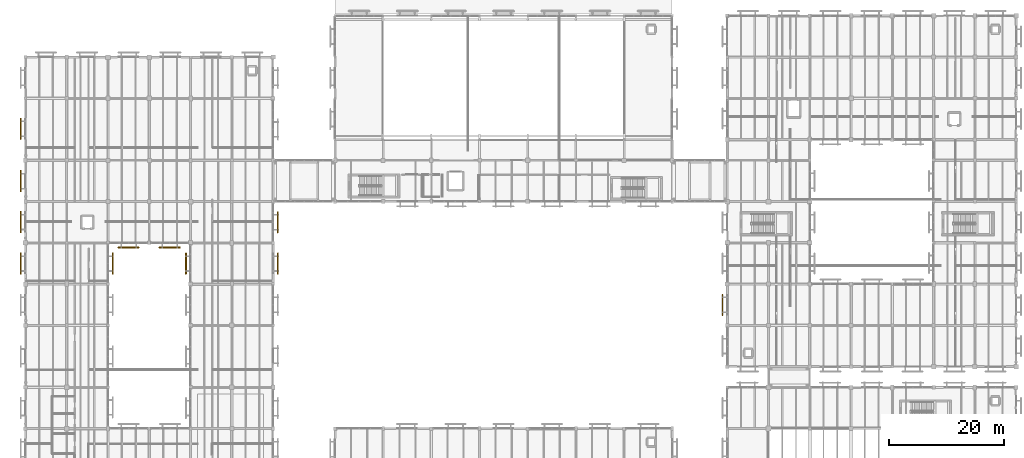
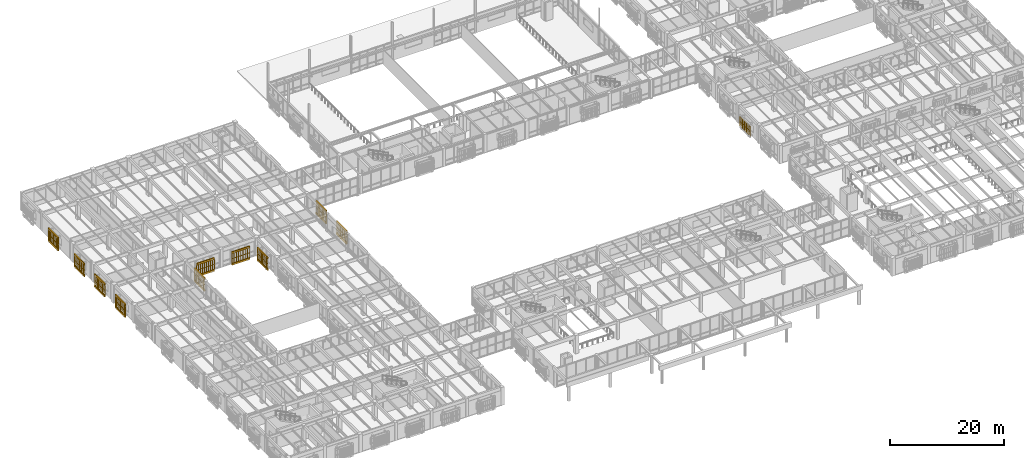
# One storey, part 156 of 170: 22 railings, 20 coverings.
"""IFC4 building model written with IfcOpenShell, lengths in metres."""

from ifc_helpers import new_model, si_unit, direction, frame, origin, origin_2d, place, context, subcontext, project, spatial, polyline, circle, outline, extrude, material, layer, layer_set, type_object, element, save


model = new_model("IFC4")

# Units and contexts
model_context = context("Model", 3, precision=1e-05, world=origin(), true_north=direction((0.0, 1.0)))
body_context = subcontext(model_context, "Body", "Model", "MODEL_VIEW")
ifc_project = project(units=[si_unit("LENGTHUNIT", "METRE"), si_unit("AREAUNIT", "SQUARE_METRE"), si_unit("VOLUMEUNIT", "CUBIC_METRE"), si_unit("PLANEANGLEUNIT", "RADIAN"), si_unit("MASSUNIT", "GRAM", prefix="KILO")], contexts=[model_context])

# Site, building, storey
site_placement = place(None, origin())
site = spatial("IfcSite", under=ifc_project, at=site_placement, CompositionType="ELEMENT")
building_placement = place(site_placement, origin())
building = spatial("IfcBuilding", under=site, at=building_placement, Name="Mazaris Harbour Polytechnic", CompositionType="ELEMENT")
storey_placement = place(building_placement, frame((0.0, 0.0, 5.39990234375)))
storey = spatial("IfcBuildingStorey", under=building, at=storey_placement, Name="L01", CompositionType="ELEMENT", Elevation=5.39990234375)

# Railings
ifc_material_1 = material(Name="Perforated Earth-Coloured Terracotta Block", Category="masonry")
railing_type = type_object("IfcRailingType", Name="Perforated Earth-Block Claustra Lattice 1040", PredefinedType="BALUSTRADE", material=ifc_material_1)
for number, where, name in (
    (1, (-0.820068359375, 62.987548828125, 0.52001953125), "V4 L01 Lower Perforated Terracotta Block Screen 174"),
    (2, (-0.820068359375, 62.987548828125, 1.610107421875), "V4 L01 Upper Perforated Terracotta Block Screen 174"),
):
    element("IfcRailing", number, at=place(storey_placement, frame(where)), inside=storey, type_object=railing_type, Name=name, PredefinedType="BALUSTRADE", context=body_context, shape_type="SweptSolid", body=[
        extrude(circle(Radius=0.06982421875, at=origin_2d()), frame((0.0, 0.0, 1.02001953125), z_axis=(0.0, 1.0, 0.0), x_axis=(-1.0, 0.0, 0.0)), (0.0, 0.0, 1.0), 3.599853515625),
        extrude(circle(Radius=0.074951171875, at=origin_2d()), origin(), (0.0, 0.0, 1.0), 0.9501953125),
        extrude(circle(Radius=0.074951171875, at=origin_2d()), frame((0.0, 0.449951171875, 0.0)), (0.0, 0.0, 1.0), 0.9501953125),
        extrude(circle(Radius=0.074951171875, at=origin_2d()), frame((0.0, 0.89990234375, 0.0)), (0.0, 0.0, 1.0), 0.9501953125),
        extrude(circle(Radius=0.074951171875, at=origin_2d()), frame((0.0, 1.349853515625, 0.0)), (0.0, 0.0, 1.0), 0.9501953125),
        extrude(circle(Radius=0.074951171875, at=origin_2d()), frame((0.0, 1.7998046875, 0.0)), (0.0, 0.0, 1.0), 0.9501953125),
        extrude(circle(Radius=0.074951171875, at=origin_2d()), frame((0.0, 2.25, 0.0)), (0.0, 0.0, 1.0), 0.9501953125),
        extrude(circle(Radius=0.074951171875, at=origin_2d()), frame((0.0, 2.699951171875, 0.0)), (0.0, 0.0, 1.0), 0.9501953125),
        extrude(circle(Radius=0.074951171875, at=origin_2d()), frame((0.0, 3.14990234375, 0.0)), (0.0, 0.0, 1.0), 0.9501953125),
        extrude(circle(Radius=0.074951171875, at=origin_2d()), frame((0.0, 3.599853515625, 0.0)), (0.0, 0.0, 1.0), 0.9501953125),
    ])
for number, where, name in (
    (3, (-0.820068359375, 70.22509765625, 0.52001953125), "V4 L01 Lower Perforated Terracotta Block Screen 175"),
    (4, (-0.820068359375, 70.22509765625, 1.60498046875), "V4 L01 Upper Perforated Terracotta Block Screen 175"),
):
    element("IfcRailing", number, at=place(storey_placement, frame(where)), inside=storey, type_object=railing_type, Name=name, PredefinedType="BALUSTRADE", context=body_context, shape_type="SweptSolid", body=[
        extrude(circle(Radius=0.06982421875, at=origin_2d()), frame((0.0, 0.0, 1.01513671875), z_axis=(0.0, 1.0, 0.0), x_axis=(-1.0, 0.0, 0.0)), (0.0, 0.0, 1.0), 3.599853515625),
        extrude(circle(Radius=0.074951171875, at=origin_2d()), origin(), (0.0, 0.0, 1.0), 0.945068359375),
        extrude(circle(Radius=0.074951171875, at=origin_2d()), frame((0.0, 0.449951171875, 0.0)), (0.0, 0.0, 1.0), 0.945068359375),
        extrude(circle(Radius=0.074951171875, at=origin_2d()), frame((0.0, 0.89990234375, 0.0)), (0.0, 0.0, 1.0), 0.945068359375),
        extrude(circle(Radius=0.074951171875, at=origin_2d()), frame((0.0, 1.349853515625, 0.0)), (0.0, 0.0, 1.0), 0.945068359375),
        extrude(circle(Radius=0.074951171875, at=origin_2d()), frame((0.0, 1.7998046875, 0.0)), (0.0, 0.0, 1.0), 0.945068359375),
        extrude(circle(Radius=0.074951171875, at=origin_2d()), frame((0.0, 2.25, 0.0)), (0.0, 0.0, 1.0), 0.945068359375),
        extrude(circle(Radius=0.074951171875, at=origin_2d()), frame((0.0, 2.699951171875, 0.0)), (0.0, 0.0, 1.0), 0.945068359375),
        extrude(circle(Radius=0.074951171875, at=origin_2d()), frame((0.0, 3.14990234375, 0.0)), (0.0, 0.0, 1.0), 0.945068359375),
        extrude(circle(Radius=0.074951171875, at=origin_2d()), frame((0.0, 3.599853515625, 0.0)), (0.0, 0.0, 1.0), 0.945068359375),
    ])
for number, where, name in (
    (5, (-0.820068359375, 77.362548828125, 0.52001953125), "V4 L01 Lower Perforated Terracotta Block Screen 176"),
    (6, (-0.820068359375, 77.362548828125, 1.610107421875), "V4 L01 Upper Perforated Terracotta Block Screen 176"),
):
    element("IfcRailing", number, at=place(storey_placement, frame(where)), inside=storey, type_object=railing_type, Name=name, PredefinedType="BALUSTRADE", context=body_context, shape_type="SweptSolid", body=[
        extrude(circle(Radius=0.06982421875, at=origin_2d()), frame((0.0, 0.0, 1.02001953125), z_axis=(0.0, 1.0, 0.0), x_axis=(-1.0, 0.0, 0.0)), (0.0, 0.0, 1.0), 3.599853515625),
        extrude(circle(Radius=0.074951171875, at=origin_2d()), origin(), (0.0, 0.0, 1.0), 0.9501953125),
        extrude(circle(Radius=0.074951171875, at=origin_2d()), frame((0.0, 0.449951171875, 0.0)), (0.0, 0.0, 1.0), 0.9501953125),
        extrude(circle(Radius=0.074951171875, at=origin_2d()), frame((0.0, 0.89990234375, 0.0)), (0.0, 0.0, 1.0), 0.9501953125),
        extrude(circle(Radius=0.074951171875, at=origin_2d()), frame((0.0, 1.349853515625, 0.0)), (0.0, 0.0, 1.0), 0.9501953125),
        extrude(circle(Radius=0.074951171875, at=origin_2d()), frame((0.0, 1.7998046875, 0.0)), (0.0, 0.0, 1.0), 0.9501953125),
        extrude(circle(Radius=0.074951171875, at=origin_2d()), frame((0.0, 2.25, 0.0)), (0.0, 0.0, 1.0), 0.9501953125),
        extrude(circle(Radius=0.074951171875, at=origin_2d()), frame((0.0, 2.699951171875, 0.0)), (0.0, 0.0, 1.0), 0.9501953125),
        extrude(circle(Radius=0.074951171875, at=origin_2d()), frame((0.0, 3.14990234375, 0.0)), (0.0, 0.0, 1.0), 0.9501953125),
        extrude(circle(Radius=0.074951171875, at=origin_2d()), frame((0.0, 3.599853515625, 0.0)), (0.0, 0.0, 1.0), 0.9501953125),
    ])
for number, where, name in (
    (7, (-0.820068359375, 86.5, 0.52001953125), "V4 L01 Lower Perforated Terracotta Block Screen 177"),
    (8, (-0.820068359375, 86.5, 1.610107421875), "V4 L01 Upper Perforated Terracotta Block Screen 177"),
):
    element("IfcRailing", number, at=place(storey_placement, frame(where)), inside=storey, type_object=railing_type, Name=name, PredefinedType="BALUSTRADE", context=body_context, shape_type="SweptSolid", body=[
        extrude(circle(Radius=0.06982421875, at=origin_2d()), frame((0.0, 0.0, 1.02001953125), z_axis=(0.0, 1.0, 0.0), x_axis=(-1.0, 0.0, 0.0)), (0.0, 0.0, 1.0), 3.60009765625),
        extrude(circle(Radius=0.074951171875, at=origin_2d()), origin(), (0.0, 0.0, 1.0), 0.9501953125),
        extrude(circle(Radius=0.074951171875, at=origin_2d()), frame((0.0, 0.39990234375, 0.0)), (0.0, 0.0, 1.0), 0.9501953125),
        extrude(circle(Radius=0.074951171875, at=origin_2d()), frame((0.0, 0.800048828125, 0.0)), (0.0, 0.0, 1.0), 0.9501953125),
        extrude(circle(Radius=0.074951171875, at=origin_2d()), frame((0.0, 1.199951171875, 0.0)), (0.0, 0.0, 1.0), 0.9501953125),
        extrude(circle(Radius=0.074951171875, at=origin_2d()), frame((0.0, 1.60009765625, 0.0)), (0.0, 0.0, 1.0), 0.9501953125),
        extrude(circle(Radius=0.074951171875, at=origin_2d()), frame((0.0, 2.0, 0.0)), (0.0, 0.0, 1.0), 0.9501953125),
        extrude(circle(Radius=0.074951171875, at=origin_2d()), frame((0.0, 2.400146484375, 0.0)), (0.0, 0.0, 1.0), 0.9501953125),
        extrude(circle(Radius=0.074951171875, at=origin_2d()), frame((0.0, 2.800048828125, 0.0)), (0.0, 0.0, 1.0), 0.9501953125),
        extrude(circle(Radius=0.074951171875, at=origin_2d()), frame((0.0, 3.2001953125, 0.0)), (0.0, 0.0, 1.0), 0.9501953125),
        extrude(circle(Radius=0.074951171875, at=origin_2d()), frame((0.0, 3.60009765625, 0.0)), (0.0, 0.0, 1.0), 0.9501953125),
    ])
for number, where, name in (
    (9, (44.02001953125, 66.58740234375, 0.52001953125), "V4 L01 Lower Perforated Terracotta Block Screen 185"),
    (10, (44.02001953125, 66.58740234375, 1.60498046875), "V4 L01 Upper Perforated Terracotta Block Screen 185"),
):
    element("IfcRailing", number, at=place(storey_placement, frame(where)), inside=storey, type_object=railing_type, Name=name, PredefinedType="BALUSTRADE", context=body_context, shape_type="SweptSolid", body=[
        extrude(circle(Radius=0.06982421875, at=origin_2d()), frame((0.0, 0.0, 1.01513671875), z_axis=(0.0, -1.0, 0.0), x_axis=(1.0, 0.0, 0.0)), (0.0, 0.0, 1.0), 3.599853515625),
        extrude(circle(Radius=0.074951171875, at=origin_2d()), origin(), (0.0, 0.0, 1.0), 0.945068359375),
        extrude(circle(Radius=0.074951171875, at=origin_2d()), frame((0.0, -0.449951171875, 0.0)), (0.0, 0.0, 1.0), 0.945068359375),
        extrude(circle(Radius=0.074951171875, at=origin_2d()), frame((0.0, -0.89990234375, 0.0)), (0.0, 0.0, 1.0), 0.945068359375),
        extrude(circle(Radius=0.074951171875, at=origin_2d()), frame((0.0, -1.349853515625, 0.0)), (0.0, 0.0, 1.0), 0.945068359375),
        extrude(circle(Radius=0.074951171875, at=origin_2d()), frame((0.0, -1.7998046875, 0.0)), (0.0, 0.0, 1.0), 0.945068359375),
        extrude(circle(Radius=0.074951171875, at=origin_2d()), frame((0.0, -2.25, 0.0)), (0.0, 0.0, 1.0), 0.945068359375),
        extrude(circle(Radius=0.074951171875, at=origin_2d()), frame((0.0, -2.699951171875, 0.0)), (0.0, 0.0, 1.0), 0.945068359375),
        extrude(circle(Radius=0.074951171875, at=origin_2d()), frame((0.0, -3.14990234375, 0.0)), (0.0, 0.0, 1.0), 0.945068359375),
        extrude(circle(Radius=0.074951171875, at=origin_2d()), frame((0.0, -3.599853515625, 0.0)), (0.0, 0.0, 1.0), 0.945068359375),
    ])
for number, where, name in (
    (11, (44.02001953125, 73.78759765625, 0.52001953125), "V4 L01 Lower Perforated Terracotta Block Screen 186"),
    (12, (44.02001953125, 73.78759765625, 1.60498046875), "V4 L01 Upper Perforated Terracotta Block Screen 186"),
):
    element("IfcRailing", number, at=place(storey_placement, frame(where)), inside=storey, type_object=railing_type, Name=name, PredefinedType="BALUSTRADE", context=body_context, shape_type="SweptSolid", body=[
        extrude(circle(Radius=0.06982421875, at=origin_2d()), frame((0.0, 0.0, 1.01513671875), z_axis=(0.0, -1.0, 0.0), x_axis=(1.0, 0.0, 0.0)), (0.0, 0.0, 1.0), 3.60009765625),
        extrude(circle(Radius=0.074951171875, at=origin_2d()), origin(), (0.0, 0.0, 1.0), 0.945068359375),
        extrude(circle(Radius=0.074951171875, at=origin_2d()), frame((0.0, -0.39990234375, 0.0)), (0.0, 0.0, 1.0), 0.945068359375),
        extrude(circle(Radius=0.074951171875, at=origin_2d()), frame((0.0, -0.800048828125, 0.0)), (0.0, 0.0, 1.0), 0.945068359375),
        extrude(circle(Radius=0.074951171875, at=origin_2d()), frame((0.0, -1.199951171875, 0.0)), (0.0, 0.0, 1.0), 0.945068359375),
        extrude(circle(Radius=0.074951171875, at=origin_2d()), frame((0.0, -1.60009765625, 0.0)), (0.0, 0.0, 1.0), 0.945068359375),
        extrude(circle(Radius=0.074951171875, at=origin_2d()), frame((0.0, -2.0, 0.0)), (0.0, 0.0, 1.0), 0.945068359375),
        extrude(circle(Radius=0.074951171875, at=origin_2d()), frame((0.0, -2.400146484375, 0.0)), (0.0, 0.0, 1.0), 0.945068359375),
        extrude(circle(Radius=0.074951171875, at=origin_2d()), frame((0.0, -2.800048828125, 0.0)), (0.0, 0.0, 1.0), 0.945068359375),
        extrude(circle(Radius=0.074951171875, at=origin_2d()), frame((0.0, -3.2001953125, 0.0)), (0.0, 0.0, 1.0), 0.945068359375),
        extrude(circle(Radius=0.074951171875, at=origin_2d()), frame((0.0, -3.60009765625, 0.0)), (0.0, 0.0, 1.0), 0.945068359375),
    ])
for number, where, name in (
    (13, (19.800048828125, 67.580078125, 0.52001953125), "V4 L01 Lower Perforated Terracotta Block Screen 191"),
    (14, (19.800048828125, 67.580078125, 1.610107421875), "V4 L01 Upper Perforated Terracotta Block Screen 191"),
):
    element("IfcRailing", number, at=place(storey_placement, frame(where)), inside=storey, type_object=railing_type, Name=name, PredefinedType="BALUSTRADE", context=body_context, shape_type="SweptSolid", body=[
        extrude(circle(Radius=0.06982421875, at=origin_2d()), frame((0.0, 0.0, 1.02001953125), z_axis=(-1.0, 0.0, 0.0), x_axis=(0.0, -1.0, 0.0)), (0.0, 0.0, 1.0), 3.60009765625),
        extrude(circle(Radius=0.074951171875, at=origin_2d()), origin(), (0.0, 0.0, 1.0), 0.9501953125),
        extrude(circle(Radius=0.074951171875, at=origin_2d()), frame((-0.39990234375, 0.0, 0.0)), (0.0, 0.0, 1.0), 0.9501953125),
        extrude(circle(Radius=0.074951171875, at=origin_2d()), frame((-0.800048828125, 0.0, 0.0)), (0.0, 0.0, 1.0), 0.9501953125),
        extrude(circle(Radius=0.074951171875, at=origin_2d()), frame((-1.199951171875, 0.0, 0.0)), (0.0, 0.0, 1.0), 0.9501953125),
        extrude(circle(Radius=0.074951171875, at=origin_2d()), frame((-1.60009765625, 0.0, 0.0)), (0.0, 0.0, 1.0), 0.9501953125),
        extrude(circle(Radius=0.074951171875, at=origin_2d()), frame((-2.0, 0.0, 0.0)), (0.0, 0.0, 1.0), 0.9501953125),
        extrude(circle(Radius=0.074951171875, at=origin_2d()), frame((-2.400146484375, 0.0, 0.0)), (0.0, 0.0, 1.0), 0.9501953125),
        extrude(circle(Radius=0.074951171875, at=origin_2d()), frame((-2.800048828125, 0.0, 0.0)), (0.0, 0.0, 1.0), 0.9501953125),
        extrude(circle(Radius=0.074951171875, at=origin_2d()), frame((-3.2001953125, 0.0, 0.0)), (0.0, 0.0, 1.0), 0.9501953125),
        extrude(circle(Radius=0.074951171875, at=origin_2d()), frame((-3.60009765625, 0.0, 0.0)), (0.0, 0.0, 1.0), 0.9501953125),
    ])
for number, where, name in (
    (15, (26.96240234375, 67.580078125, 0.52001953125), "V4 L01 Lower Perforated Terracotta Block Screen 192"),
    (16, (26.96240234375, 67.580078125, 1.610107421875), "V4 L01 Upper Perforated Terracotta Block Screen 192"),
):
    element("IfcRailing", number, at=place(storey_placement, frame(where)), inside=storey, type_object=railing_type, Name=name, PredefinedType="BALUSTRADE", context=body_context, shape_type="SweptSolid", body=[
        extrude(circle(Radius=0.06982421875, at=origin_2d()), frame((0.0, 0.0, 1.02001953125), z_axis=(-1.0, 0.0, 0.0), x_axis=(0.0, -1.0, 0.0)), (0.0, 0.0, 1.0), 3.599853515625),
        extrude(circle(Radius=0.074951171875, at=origin_2d()), origin(), (0.0, 0.0, 1.0), 0.9501953125),
        extrude(circle(Radius=0.074951171875, at=origin_2d()), frame((-0.449951171875, 0.0, 0.0)), (0.0, 0.0, 1.0), 0.9501953125),
        extrude(circle(Radius=0.074951171875, at=origin_2d()), frame((-0.89990234375, 0.0, 0.0)), (0.0, 0.0, 1.0), 0.9501953125),
        extrude(circle(Radius=0.074951171875, at=origin_2d()), frame((-1.349853515625, 0.0, 0.0)), (0.0, 0.0, 1.0), 0.9501953125),
        extrude(circle(Radius=0.074951171875, at=origin_2d()), frame((-1.7998046875, 0.0, 0.0)), (0.0, 0.0, 1.0), 0.9501953125),
        extrude(circle(Radius=0.074951171875, at=origin_2d()), frame((-2.25, 0.0, 0.0)), (0.0, 0.0, 1.0), 0.9501953125),
        extrude(circle(Radius=0.074951171875, at=origin_2d()), frame((-2.699951171875, 0.0, 0.0)), (0.0, 0.0, 1.0), 0.9501953125),
        extrude(circle(Radius=0.074951171875, at=origin_2d()), frame((-3.14990234375, 0.0, 0.0)), (0.0, 0.0, 1.0), 0.9501953125),
        extrude(circle(Radius=0.074951171875, at=origin_2d()), frame((-3.599853515625, 0.0, 0.0)), (0.0, 0.0, 1.0), 0.9501953125),
    ])
for number, where, name in (
    (17, (15.219970703125, 62.987548828125, 0.52001953125), "V4 L01 Lower Perforated Terracotta Block Screen 196"),
    (18, (15.219970703125, 62.987548828125, 1.610107421875), "V4 L01 Upper Perforated Terracotta Block Screen 196"),
):
    element("IfcRailing", number, at=place(storey_placement, frame(where)), inside=storey, type_object=railing_type, Name=name, PredefinedType="BALUSTRADE", context=body_context, shape_type="SweptSolid", body=[
        extrude(circle(Radius=0.06982421875, at=origin_2d()), frame((0.0, 0.0, 1.02001953125), z_axis=(0.0, 1.0, 0.0), x_axis=(-1.0, 0.0, 0.0)), (0.0, 0.0, 1.0), 3.599853515625),
        extrude(circle(Radius=0.074951171875, at=origin_2d()), origin(), (0.0, 0.0, 1.0), 0.9501953125),
        extrude(circle(Radius=0.074951171875, at=origin_2d()), frame((0.0, 0.449951171875, 0.0)), (0.0, 0.0, 1.0), 0.9501953125),
        extrude(circle(Radius=0.074951171875, at=origin_2d()), frame((0.0, 0.89990234375, 0.0)), (0.0, 0.0, 1.0), 0.9501953125),
        extrude(circle(Radius=0.074951171875, at=origin_2d()), frame((0.0, 1.349853515625, 0.0)), (0.0, 0.0, 1.0), 0.9501953125),
        extrude(circle(Radius=0.074951171875, at=origin_2d()), frame((0.0, 1.7998046875, 0.0)), (0.0, 0.0, 1.0), 0.9501953125),
        extrude(circle(Radius=0.074951171875, at=origin_2d()), frame((0.0, 2.25, 0.0)), (0.0, 0.0, 1.0), 0.9501953125),
        extrude(circle(Radius=0.074951171875, at=origin_2d()), frame((0.0, 2.699951171875, 0.0)), (0.0, 0.0, 1.0), 0.9501953125),
        extrude(circle(Radius=0.074951171875, at=origin_2d()), frame((0.0, 3.14990234375, 0.0)), (0.0, 0.0, 1.0), 0.9501953125),
        extrude(circle(Radius=0.074951171875, at=origin_2d()), frame((0.0, 3.599853515625, 0.0)), (0.0, 0.0, 1.0), 0.9501953125),
    ])
for number, where, name in (
    (19, (27.97998046875, 66.58740234375, 0.52001953125), "V4 L01 Lower Perforated Terracotta Block Screen 200"),
    (20, (27.97998046875, 66.58740234375, 1.610107421875), "V4 L01 Upper Perforated Terracotta Block Screen 200"),
):
    element("IfcRailing", number, at=place(storey_placement, frame(where)), inside=storey, type_object=railing_type, Name=name, PredefinedType="BALUSTRADE", context=body_context, shape_type="SweptSolid", body=[
        extrude(circle(Radius=0.06982421875, at=origin_2d()), frame((0.0, 0.0, 1.02001953125), z_axis=(0.0, -1.0, 0.0), x_axis=(1.0, 0.0, 0.0)), (0.0, 0.0, 1.0), 3.599853515625),
        extrude(circle(Radius=0.074951171875, at=origin_2d()), origin(), (0.0, 0.0, 1.0), 0.9501953125),
        extrude(circle(Radius=0.074951171875, at=origin_2d()), frame((0.0, -0.449951171875, 0.0)), (0.0, 0.0, 1.0), 0.9501953125),
        extrude(circle(Radius=0.074951171875, at=origin_2d()), frame((0.0, -0.89990234375, 0.0)), (0.0, 0.0, 1.0), 0.9501953125),
        extrude(circle(Radius=0.074951171875, at=origin_2d()), frame((0.0, -1.349853515625, 0.0)), (0.0, 0.0, 1.0), 0.9501953125),
        extrude(circle(Radius=0.074951171875, at=origin_2d()), frame((0.0, -1.7998046875, 0.0)), (0.0, 0.0, 1.0), 0.9501953125),
        extrude(circle(Radius=0.074951171875, at=origin_2d()), frame((0.0, -2.25, 0.0)), (0.0, 0.0, 1.0), 0.9501953125),
        extrude(circle(Radius=0.074951171875, at=origin_2d()), frame((0.0, -2.699951171875, 0.0)), (0.0, 0.0, 1.0), 0.9501953125),
        extrude(circle(Radius=0.074951171875, at=origin_2d()), frame((0.0, -3.14990234375, 0.0)), (0.0, 0.0, 1.0), 0.9501953125),
        extrude(circle(Radius=0.074951171875, at=origin_2d()), frame((0.0, -3.599853515625, 0.0)), (0.0, 0.0, 1.0), 0.9501953125),
    ])
for number, where, name in (
    (21, (121.580078125, 55.78759765625, 0.52001953125), "V5 L01 Lower Perforated Terracotta Block Screen 380"),
    (22, (121.580078125, 55.78759765625, 1.610107421875), "V5 L01 Upper Perforated Terracotta Block Screen 380"),
):
    element("IfcRailing", number, at=place(storey_placement, frame(where)), inside=storey, type_object=railing_type, Name=name, PredefinedType="BALUSTRADE", context=body_context, shape_type="SweptSolid", body=[
        extrude(circle(Radius=0.06982421875, at=origin_2d()), frame((0.0, 0.0, 1.02001953125), z_axis=(0.0, 1.0, 0.0), x_axis=(-1.0, 0.0, 0.0)), (0.0, 0.0, 1.0), 3.599853515625),
        extrude(circle(Radius=0.074951171875, at=origin_2d()), origin(), (0.0, 0.0, 1.0), 0.9501953125),
        extrude(circle(Radius=0.074951171875, at=origin_2d()), frame((0.0, 0.449951171875, 0.0)), (0.0, 0.0, 1.0), 0.9501953125),
        extrude(circle(Radius=0.074951171875, at=origin_2d()), frame((0.0, 0.89990234375, 0.0)), (0.0, 0.0, 1.0), 0.9501953125),
        extrude(circle(Radius=0.074951171875, at=origin_2d()), frame((0.0, 1.349853515625, 0.0)), (0.0, 0.0, 1.0), 0.9501953125),
        extrude(circle(Radius=0.074951171875, at=origin_2d()), frame((0.0, 1.7998046875, 0.0)), (0.0, 0.0, 1.0), 0.9501953125),
        extrude(circle(Radius=0.074951171875, at=origin_2d()), frame((0.0, 2.25, 0.0)), (0.0, 0.0, 1.0), 0.9501953125),
        extrude(circle(Radius=0.074951171875, at=origin_2d()), frame((0.0, 2.699951171875, 0.0)), (0.0, 0.0, 1.0), 0.9501953125),
        extrude(circle(Radius=0.074951171875, at=origin_2d()), frame((0.0, 3.14990234375, 0.0)), (0.0, 0.0, 1.0), 0.9501953125),
        extrude(circle(Radius=0.074951171875, at=origin_2d()), frame((0.0, 3.599853515625, 0.0)), (0.0, 0.0, 1.0), 0.9501953125),
    ])

# Coverings
ifc_material_2 = material(Name="Perforated Earth-Coloured Terracotta Block", Category="masonry")
ifc_layer = layer(ifc_material_2, 0.219970703125, Name="Perforated Earth-Coloured Terracotta Block")
ifc_layer_set = layer_set([ifc_layer], Name="Perforated Earth-Coloured Terracotta Block")
covering_type = type_object("IfcCoveringType", Name="Terracotta Screen Course Cladding 220", PredefinedType="CLADDING", material=ifc_layer_set)
covering_1_placement = place(storey_placement, frame((0.0, 0.0, 0.16015625)))
element("IfcCovering", 23, at=covering_1_placement, inside=storey, type_object=covering_type, Name="V4 L01 Perforated Screen Sill Course 174", PredefinedType="CLADDING", context=body_context, shape_type="SweptSolid", body=[
    extrude(outline(polyline([(-0.7099609375, 62.987548828125), (-0.7099609375, 66.58740234375), (-0.929931640625, 66.58740234375), (-0.929931640625, 62.987548828125), (-0.7099609375, 62.987548828125)])), origin(), (0.0, 0.0, 1.0), 0.35986328125),
])
covering_2_placement = place(storey_placement, frame((0.0, 0.0, 2.7001953125)))
element("IfcCovering", 24, at=covering_2_placement, inside=storey, type_object=covering_type, Name="V4 L01 Perforated Screen Lintel Course 174", PredefinedType="CLADDING", context=body_context, shape_type="SweptSolid", body=[
    extrude(outline(polyline([(-0.7099609375, 62.987548828125), (-0.7099609375, 66.58740234375), (-0.929931640625, 66.58740234375), (-0.929931640625, 62.987548828125), (-0.7099609375, 62.987548828125)])), origin(), (0.0, 0.0, 1.0), 0.33984375),
])
covering_3_placement = place(storey_placement, frame((0.0, 0.0, 0.16015625)))
element("IfcCovering", 25, at=covering_3_placement, inside=storey, type_object=covering_type, Name="V4 L01 Perforated Screen Sill Course 175", PredefinedType="CLADDING", context=body_context, shape_type="SweptSolid", body=[
    extrude(outline(polyline([(-0.7099609375, 70.22509765625), (-0.7099609375, 73.824951171875), (-0.929931640625, 73.824951171875), (-0.929931640625, 70.22509765625), (-0.7099609375, 70.22509765625)])), origin(), (0.0, 0.0, 1.0), 0.35986328125),
])
covering_4_placement = place(storey_placement, frame((0.0, 0.0, 2.690185546875)))
element("IfcCovering", 26, at=covering_4_placement, inside=storey, type_object=covering_type, Name="V4 L01 Perforated Screen Lintel Course 175", PredefinedType="CLADDING", context=body_context, shape_type="SweptSolid", body=[
    extrude(outline(polyline([(-0.7099609375, 70.22509765625), (-0.7099609375, 73.824951171875), (-0.929931640625, 73.824951171875), (-0.929931640625, 70.22509765625), (-0.7099609375, 70.22509765625)])), origin(), (0.0, 0.0, 1.0), 0.33984375),
])
covering_5_placement = place(storey_placement, frame((0.0, 0.0, 0.16015625)))
element("IfcCovering", 27, at=covering_5_placement, inside=storey, type_object=covering_type, Name="V4 L01 Perforated Screen Sill Course 176", PredefinedType="CLADDING", context=body_context, shape_type="SweptSolid", body=[
    extrude(outline(polyline([(-0.7099609375, 77.362548828125), (-0.7099609375, 80.96240234375), (-0.929931640625, 80.96240234375), (-0.929931640625, 77.362548828125), (-0.7099609375, 77.362548828125)])), origin(), (0.0, 0.0, 1.0), 0.35986328125),
])
covering_6_placement = place(storey_placement, frame((0.0, 0.0, 2.7001953125)))
element("IfcCovering", 28, at=covering_6_placement, inside=storey, type_object=covering_type, Name="V4 L01 Perforated Screen Lintel Course 176", PredefinedType="CLADDING", context=body_context, shape_type="SweptSolid", body=[
    extrude(outline(polyline([(-0.7099609375, 77.362548828125), (-0.7099609375, 80.96240234375), (-0.929931640625, 80.96240234375), (-0.929931640625, 77.362548828125), (-0.7099609375, 77.362548828125)])), origin(), (0.0, 0.0, 1.0), 0.33984375),
])
covering_7_placement = place(storey_placement, frame((0.0, 0.0, 0.16015625)))
element("IfcCovering", 29, at=covering_7_placement, inside=storey, type_object=covering_type, Name="V4 L01 Perforated Screen Sill Course 177", PredefinedType="CLADDING", context=body_context, shape_type="SweptSolid", body=[
    extrude(outline(polyline([(-0.7099609375, 86.5), (-0.7099609375, 90.10009765625), (-0.929931640625, 90.10009765625), (-0.929931640625, 86.5), (-0.7099609375, 86.5)])), origin(), (0.0, 0.0, 1.0), 0.35986328125),
])
covering_8_placement = place(storey_placement, frame((0.0, 0.0, 2.7001953125)))
element("IfcCovering", 30, at=covering_8_placement, inside=storey, type_object=covering_type, Name="V4 L01 Perforated Screen Lintel Course 177", PredefinedType="CLADDING", context=body_context, shape_type="SweptSolid", body=[
    extrude(outline(polyline([(-0.7099609375, 86.5), (-0.7099609375, 90.10009765625), (-0.929931640625, 90.10009765625), (-0.929931640625, 86.5), (-0.7099609375, 86.5)])), origin(), (0.0, 0.0, 1.0), 0.33984375),
])
covering_9_placement = place(storey_placement, frame((0.0, 0.0, 0.16015625)))
element("IfcCovering", 31, at=covering_9_placement, inside=storey, type_object=covering_type, Name="V4 L01 Perforated Screen Sill Course 185", PredefinedType="CLADDING", context=body_context, shape_type="SweptSolid", body=[
    extrude(outline(polyline([(43.909912109375, 66.58740234375), (43.909912109375, 62.987548828125), (44.1298828125, 62.987548828125), (44.1298828125, 66.58740234375), (43.909912109375, 66.58740234375)])), origin(), (0.0, 0.0, 1.0), 0.35986328125),
])
covering_10_placement = place(storey_placement, frame((0.0, 0.0, 2.690185546875)))
element("IfcCovering", 32, at=covering_10_placement, inside=storey, type_object=covering_type, Name="V4 L01 Perforated Screen Lintel Course 185", PredefinedType="CLADDING", context=body_context, shape_type="SweptSolid", body=[
    extrude(outline(polyline([(43.909912109375, 66.58740234375), (43.909912109375, 62.987548828125), (44.1298828125, 62.987548828125), (44.1298828125, 66.58740234375), (43.909912109375, 66.58740234375)])), origin(), (0.0, 0.0, 1.0), 0.33984375),
])
covering_11_placement = place(storey_placement, frame((0.0, 0.0, 0.16015625)))
element("IfcCovering", 33, at=covering_11_placement, inside=storey, type_object=covering_type, Name="V4 L01 Perforated Screen Sill Course 186", PredefinedType="CLADDING", context=body_context, shape_type="SweptSolid", body=[
    extrude(outline(polyline([(43.909912109375, 73.78759765625), (43.909912109375, 70.1875), (44.1298828125, 70.1875), (44.1298828125, 73.78759765625), (43.909912109375, 73.78759765625)])), origin(), (0.0, 0.0, 1.0), 0.35986328125),
])
covering_12_placement = place(storey_placement, frame((0.0, 0.0, 2.690185546875)))
element("IfcCovering", 34, at=covering_12_placement, inside=storey, type_object=covering_type, Name="V4 L01 Perforated Screen Lintel Course 186", PredefinedType="CLADDING", context=body_context, shape_type="SweptSolid", body=[
    extrude(outline(polyline([(43.909912109375, 73.78759765625), (43.909912109375, 70.1875), (44.1298828125, 70.1875), (44.1298828125, 73.78759765625), (43.909912109375, 73.78759765625)])), origin(), (0.0, 0.0, 1.0), 0.33984375),
])
covering_13_placement = place(storey_placement, frame((0.0, 0.0, 0.16015625)))
element("IfcCovering", 35, at=covering_13_placement, inside=storey, type_object=covering_type, Name="V4 L01 Perforated Screen Sill Course 191", PredefinedType="CLADDING", context=body_context, shape_type="SweptSolid", body=[
    extrude(outline(polyline([(19.800048828125, 67.68994140625), (16.199951171875, 67.68994140625), (16.199951171875, 67.469970703125), (19.800048828125, 67.469970703125), (19.800048828125, 67.68994140625)])), origin(), (0.0, 0.0, 1.0), 0.35986328125),
])
covering_14_placement = place(storey_placement, frame((0.0, 0.0, 2.7001953125)))
element("IfcCovering", 36, at=covering_14_placement, inside=storey, type_object=covering_type, Name="V4 L01 Perforated Screen Lintel Course 191", PredefinedType="CLADDING", context=body_context, shape_type="SweptSolid", body=[
    extrude(outline(polyline([(19.800048828125, 67.68994140625), (16.199951171875, 67.68994140625), (16.199951171875, 67.469970703125), (19.800048828125, 67.469970703125), (19.800048828125, 67.68994140625)])), origin(), (0.0, 0.0, 1.0), 0.33984375),
])
covering_15_placement = place(storey_placement, frame((0.0, 0.0, 0.16015625)))
element("IfcCovering", 37, at=covering_15_placement, inside=storey, type_object=covering_type, Name="V4 L01 Perforated Screen Sill Course 192", PredefinedType="CLADDING", context=body_context, shape_type="SweptSolid", body=[
    extrude(outline(polyline([(26.96240234375, 67.68994140625), (23.362548828125, 67.68994140625), (23.362548828125, 67.469970703125), (26.96240234375, 67.469970703125), (26.96240234375, 67.68994140625)])), origin(), (0.0, 0.0, 1.0), 0.35986328125),
])
covering_16_placement = place(storey_placement, frame((0.0, 0.0, 2.7001953125)))
element("IfcCovering", 38, at=covering_16_placement, inside=storey, type_object=covering_type, Name="V4 L01 Perforated Screen Lintel Course 192", PredefinedType="CLADDING", context=body_context, shape_type="SweptSolid", body=[
    extrude(outline(polyline([(26.96240234375, 67.68994140625), (23.362548828125, 67.68994140625), (23.362548828125, 67.469970703125), (26.96240234375, 67.469970703125), (26.96240234375, 67.68994140625)])), origin(), (0.0, 0.0, 1.0), 0.33984375),
])
covering_17_placement = place(storey_placement, frame((0.0, 0.0, 0.16015625)))
element("IfcCovering", 39, at=covering_17_placement, inside=storey, type_object=covering_type, Name="V4 L01 Perforated Screen Sill Course 196", PredefinedType="CLADDING", context=body_context, shape_type="SweptSolid", body=[
    extrude(outline(polyline([(15.110107421875, 62.987548828125), (15.110107421875, 66.58740234375), (15.330078125, 66.58740234375), (15.330078125, 62.987548828125), (15.110107421875, 62.987548828125)])), origin(), (0.0, 0.0, 1.0), 0.35986328125),
])
covering_18_placement = place(storey_placement, frame((0.0, 0.0, 2.7001953125)))
element("IfcCovering", 40, at=covering_18_placement, inside=storey, type_object=covering_type, Name="V4 L01 Perforated Screen Lintel Course 196", PredefinedType="CLADDING", context=body_context, shape_type="SweptSolid", body=[
    extrude(outline(polyline([(15.110107421875, 62.987548828125), (15.110107421875, 66.58740234375), (15.330078125, 66.58740234375), (15.330078125, 62.987548828125), (15.110107421875, 62.987548828125)])), origin(), (0.0, 0.0, 1.0), 0.33984375),
])
covering_19_placement = place(storey_placement, frame((0.0, 0.0, 0.16015625)))
element("IfcCovering", 41, at=covering_19_placement, inside=storey, type_object=covering_type, Name="V4 L01 Perforated Screen Sill Course 200", PredefinedType="CLADDING", context=body_context, shape_type="SweptSolid", body=[
    extrude(outline(polyline([(28.090087890625, 66.58740234375), (28.090087890625, 62.987548828125), (27.8701171875, 62.987548828125), (27.8701171875, 66.58740234375), (28.090087890625, 66.58740234375)])), origin(), (0.0, 0.0, 1.0), 0.35986328125),
])
covering_20_placement = place(storey_placement, frame((0.0, 0.0, 2.7001953125)))
element("IfcCovering", 42, at=covering_20_placement, inside=storey, type_object=covering_type, Name="V4 L01 Perforated Screen Lintel Course 200", PredefinedType="CLADDING", context=body_context, shape_type="SweptSolid", body=[
    extrude(outline(polyline([(28.090087890625, 66.58740234375), (28.090087890625, 62.987548828125), (27.8701171875, 62.987548828125), (27.8701171875, 66.58740234375), (28.090087890625, 66.58740234375)])), origin(), (0.0, 0.0, 1.0), 0.33984375),
])

save(model, "model.ifc")
